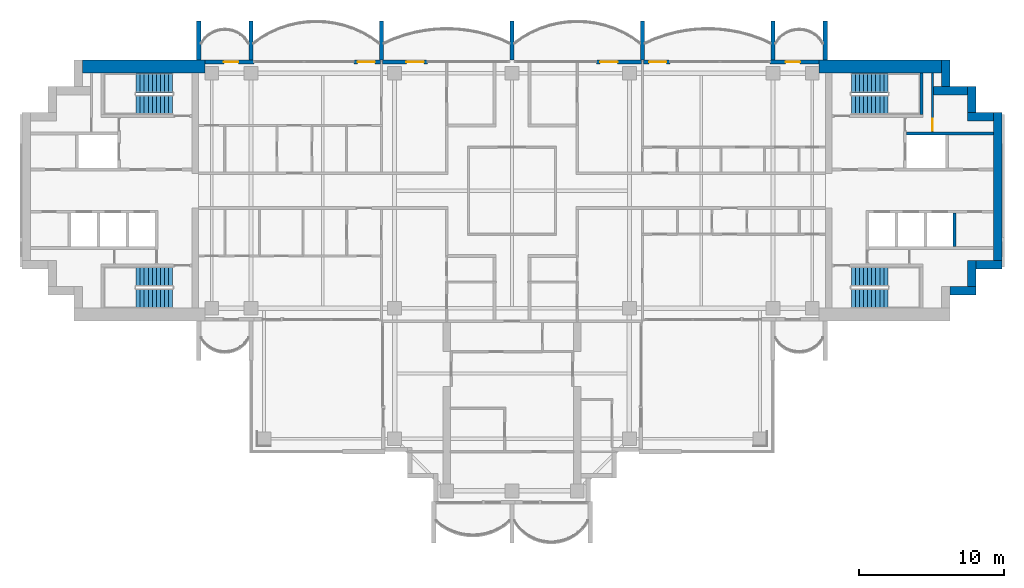
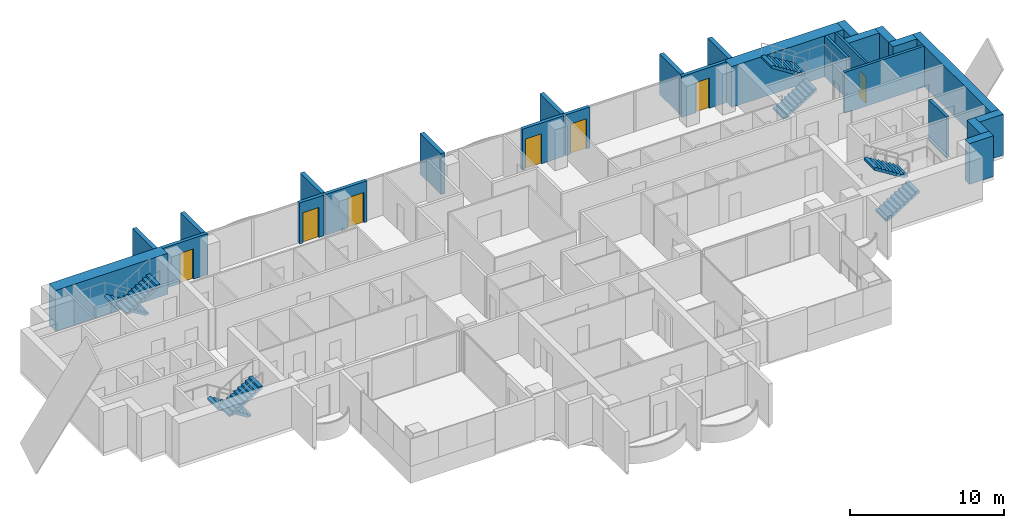
# One storey, part 13 of 17: 27 walls, 8 stair flights, 7 doors, 7 openings, 4 elements without a shape of their own.
"""IFC4 building model written with IfcOpenShell, lengths in metres."""

from ifc_helpers import new_model, si_unit, direction, frame, frame_2d, origin, place, context, subcontext, project, spatial, polyline, rectangle, outline, extrude, material, layer, layer_set, type_object, element, fill, aggregate, save


model = new_model("IFC4")

# Units and contexts
model_context = context("Model", 3, precision=1e-05, world=origin(), true_north=direction((0.0, 1.0)))
body_context = subcontext(model_context, "Body", "Model", "MODEL_VIEW")
ifc_project = project(units=[si_unit("LENGTHUNIT", "METRE"), si_unit("AREAUNIT", "SQUARE_METRE"), si_unit("VOLUMEUNIT", "CUBIC_METRE"), si_unit("PLANEANGLEUNIT", "RADIAN"), si_unit("MASSUNIT", "GRAM", prefix="KILO")], contexts=[model_context])

# Site, building, storey
site_placement = place(None, origin())
site = spatial("IfcSite", under=ifc_project, at=site_placement, CompositionType="ELEMENT")
building_placement = place(site_placement, origin())
building = spatial("IfcBuilding", under=site, at=building_placement, Name="Perihelion Cross Residences", CompositionType="ELEMENT")
storey_placement = place(building_placement, frame((0.0, 0.0, 191.10009765625)))
storey = spatial("IfcBuildingStorey", under=building, at=storey_placement, Name="L47", CompositionType="ELEMENT", Elevation=191.10009765625)

# Wall, opening, door
ifc_material_1 = material(Name="Concrete C30/37, bronze-clad", Category="concrete")
ifc_layer_1 = layer(ifc_material_1, 0.25)
ifc_layer_set_1 = layer_set([ifc_layer_1], Name="Bronze-clad pier wall 250")
wall_type_1 = type_object("IfcWallType", Name="Bronze-clad pier wall 250", PredefinedType="SOLIDWALL", material=ifc_layer_set_1)
wall_1_placement = place(storey_placement, frame((21.175048828125, 8.875, 0.0), z_axis=(0.0, 0.0, 1.0), x_axis=(-1.0, 0.0, 0.0)))
wall_1 = element("IfcWall", 1, at=wall_1_placement, inside=storey, type_object=wall_type_1, Name="Wall FW1 L47 east side north bay 1 pier", PredefinedType="SOLIDWALL", context=body_context, shape_type="SweptSolid", body=[
    extrude(rectangle(XDim=3.375, YDim=0.25, at=frame_2d((1.6875, 0.0))), origin(), (0.0, 0.0, 1.0), 3.25),
])
opening_1_placement = place(wall_1_placement, frame((1.300048828125, 0.0, 0.0)))
opening_1 = element("IfcOpeningElement", 2, at=opening_1_placement, cuts=wall_1, Name="Opening L47.E01", PredefinedType="OPENING", context=body_context, shape_type="SweptSolid", body=[
    extrude(rectangle(XDim=1.0, YDim=2.39990234375, at=frame_2d((0.5, 1.199951171875))), frame((0.0, 0.135009765625, 0.0), z_axis=(0.0, -1.0, 0.0), x_axis=(1.0, 0.0, 0.0)), (0.0, 0.0, 1.0), 0.27001953125),
])
ifc_material_2 = material(Name="Bronze anodised aluminium, glazed", Category="aluminium")
door_type_1 = type_object("IfcDoorType", Name="Balcony door 1000 x 2400", OperationType="NOTDEFINED", PredefinedType="DOOR", material=ifc_material_2)
door_1_placement = place(opening_1_placement, origin())
door_1 = element("IfcDoor", 3, at=door_1_placement, inside=storey, type_object=door_type_1, Name="Door L47.E01 east side north bay 1", OperationType="SINGLE_SWING_LEFT", OverallHeight=2.39990234375, OverallWidth=1.0, PredefinedType="DOOR", context=body_context, shape_type="SweptSolid", body=[
    extrude(rectangle(XDim=1.0, YDim=2.39990234375, at=frame_2d((0.5, 1.199951171875))), frame((0.0, 0.02490234375, 0.0), z_axis=(0.0, -1.0, 0.0), x_axis=(1.0, 0.0, 0.0)), (0.0, 0.0, 1.0), 0.050048828125),
])
fill(opening_1, door_1)

wall_2_placement = place(storey_placement, frame((10.89990234375, 8.875, 0.0), z_axis=(0.0, 0.0, 1.0), x_axis=(-1.0, 0.0, 0.0)))
wall_2 = element("IfcWall", 4, at=wall_2_placement, inside=storey, type_object=wall_type_1, Name="Wall FW1 L47 east side north bay 2 pier", PredefinedType="SOLIDWALL", context=body_context, shape_type="SweptSolid", body=[
    extrude(rectangle(XDim=1.83984375, YDim=0.25, at=frame_2d((0.919921875, 0.0))), origin(), (0.0, 0.0, 1.0), 3.25),
])
opening_2_placement = place(wall_2_placement, frame((0.25, 0.0, 0.0)))
opening_2 = element("IfcOpeningElement", 5, at=opening_2_placement, cuts=wall_2, Name="Opening L47.E02", PredefinedType="OPENING", context=body_context, shape_type="SweptSolid", body=[
    extrude(rectangle(XDim=1.199951171875, YDim=2.39990234375, at=frame_2d((0.60009765625, 1.199951171875))), frame((0.0, 0.135009765625, 0.0), z_axis=(0.0, -1.0, 0.0), x_axis=(1.0, 0.0, 0.0)), (0.0, 0.0, 1.0), 0.27001953125),
])
ifc_material_3 = material(Name="Bronze anodised aluminium, glazed", Category="aluminium")
door_type_2 = type_object("IfcDoorType", Name="Balcony door 1200 x 2400", OperationType="NOTDEFINED", PredefinedType="DOOR", material=ifc_material_3)
door_2_placement = place(opening_2_placement, origin())
door_2 = element("IfcDoor", 6, at=door_2_placement, inside=storey, type_object=door_type_2, Name="Door L47.E02 east side north bay 2", OperationType="SINGLE_SWING_RIGHT", OverallHeight=2.39990234375, OverallWidth=1.199951171875, PredefinedType="DOOR", context=body_context, shape_type="SweptSolid", body=[
    extrude(rectangle(XDim=1.199951171875, YDim=2.39990234375, at=frame_2d((0.60009765625, 1.199951171875))), frame((0.0, 0.02490234375, 0.0), z_axis=(0.0, -1.0, 0.0), x_axis=(1.0, 0.0, 0.0)), (0.0, 0.0, 1.0), 0.050048828125),
])
fill(opening_2, door_2)

wall_3_placement = place(storey_placement, frame((8.93994140625, 8.875, 0.0), z_axis=(0.0, 0.0, 1.0), x_axis=(-1.0, 0.0, 0.0)))
wall_3 = element("IfcWall", 7, at=wall_3_placement, inside=storey, type_object=wall_type_1, Name="Wall FW1 L47 north side east bay 1 pier", PredefinedType="SOLIDWALL", context=body_context, shape_type="SweptSolid", body=[
    extrude(rectangle(XDim=3.114990234375, YDim=0.25, at=frame_2d((1.5576171875, 0.0))), origin(), (0.0, 0.0, 1.0), 3.25),
])
opening_3_placement = place(wall_3_placement, frame((1.6650390625, 0.0, 0.0)))
opening_3 = element("IfcOpeningElement", 8, at=opening_3_placement, cuts=wall_3, Name="Opening L47.E03", PredefinedType="OPENING", context=body_context, shape_type="SweptSolid", body=[
    extrude(rectangle(XDim=1.199951171875, YDim=2.39990234375, at=frame_2d((0.60009765625, 1.199951171875))), frame((0.0, 0.135009765625, 0.0), z_axis=(0.0, -1.0, 0.0), x_axis=(1.0, 0.0, 0.0)), (0.0, 0.0, 1.0), 0.27001953125),
])
door_3_placement = place(opening_3_placement, origin())
door_3 = element("IfcDoor", 9, at=door_3_placement, inside=storey, type_object=door_type_2, Name="Door L47.E03 north side east bay 1", OperationType="SINGLE_SWING_LEFT", OverallHeight=2.39990234375, OverallWidth=1.199951171875, PredefinedType="DOOR", context=body_context, shape_type="SweptSolid", body=[
    extrude(rectangle(XDim=1.199951171875, YDim=2.39990234375, at=frame_2d((0.60009765625, 1.199951171875))), frame((0.0, 0.02490234375, 0.0), z_axis=(0.0, -1.0, 0.0), x_axis=(1.0, 0.0, 0.0)), (0.0, 0.0, 1.0), 0.050048828125),
])
fill(opening_3, door_3)

wall_4_placement = place(storey_placement, frame((-5.824951171875, 8.875, 0.0), z_axis=(0.0, 0.0, 1.0), x_axis=(-1.0, 0.0, 0.0)))
wall_4 = element("IfcWall", 10, at=wall_4_placement, inside=storey, type_object=wall_type_1, Name="Wall FW1 L47 north side east bay 2 pier", PredefinedType="SOLIDWALL", context=body_context, shape_type="SweptSolid", body=[
    extrude(rectangle(XDim=3.114990234375, YDim=0.25, at=frame_2d((1.5576171875, 0.0))), origin(), (0.0, 0.0, 1.0), 3.25),
])
opening_4_placement = place(wall_4_placement, frame((0.25, 0.0, 0.0)))
opening_4 = element("IfcOpeningElement", 11, at=opening_4_placement, cuts=wall_4, Name="Opening L47.E04", PredefinedType="OPENING", context=body_context, shape_type="SweptSolid", body=[
    extrude(rectangle(XDim=1.199951171875, YDim=2.39990234375, at=frame_2d((0.60009765625, 1.199951171875))), frame((0.0, 0.135009765625, 0.0), z_axis=(0.0, -1.0, 0.0), x_axis=(1.0, 0.0, 0.0)), (0.0, 0.0, 1.0), 0.27001953125),
])
door_4_placement = place(opening_4_placement, origin())
door_4 = element("IfcDoor", 12, at=door_4_placement, inside=storey, type_object=door_type_2, Name="Door L47.E04 north side east bay 2", OperationType="SINGLE_SWING_RIGHT", OverallHeight=2.39990234375, OverallWidth=1.199951171875, PredefinedType="DOOR", context=body_context, shape_type="SweptSolid", body=[
    extrude(rectangle(XDim=1.199951171875, YDim=2.39990234375, at=frame_2d((0.60009765625, 1.199951171875))), frame((0.0, 0.02490234375, 0.0), z_axis=(0.0, -1.0, 0.0), x_axis=(1.0, 0.0, 0.0)), (0.0, 0.0, 1.0), 0.050048828125),
])
fill(opening_4, door_4)

wall_5_placement = place(storey_placement, frame((-9.06005859375, 8.875, 0.0), z_axis=(0.0, 0.0, 1.0), x_axis=(-1.0, 0.0, 0.0)))
wall_5 = element("IfcWall", 13, at=wall_5_placement, inside=storey, type_object=wall_type_1, Name="Wall FW1 L47 west side north bay 1 pier", PredefinedType="SOLIDWALL", context=body_context, shape_type="SweptSolid", body=[
    extrude(rectangle(XDim=1.83984375, YDim=0.25, at=frame_2d((0.919921875, 0.0))), origin(), (0.0, 0.0, 1.0), 3.25),
])
opening_5_placement = place(wall_5_placement, frame((0.389892578125, 0.0, 0.0)))
opening_5 = element("IfcOpeningElement", 14, at=opening_5_placement, cuts=wall_5, Name="Opening L47.E05", PredefinedType="OPENING", context=body_context, shape_type="SweptSolid", body=[
    extrude(rectangle(XDim=1.199951171875, YDim=2.39990234375, at=frame_2d((0.60009765625, 1.199951171875))), frame((0.0, 0.135009765625, 0.0), z_axis=(0.0, -1.0, 0.0), x_axis=(1.0, 0.0, 0.0)), (0.0, 0.0, 1.0), 0.27001953125),
])
door_5_placement = place(opening_5_placement, origin())
door_5 = element("IfcDoor", 15, at=door_5_placement, inside=storey, type_object=door_type_2, Name="Door L47.E05 west side north bay 1", OperationType="SINGLE_SWING_LEFT", OverallHeight=2.39990234375, OverallWidth=1.199951171875, PredefinedType="DOOR", context=body_context, shape_type="SweptSolid", body=[
    extrude(rectangle(XDim=1.199951171875, YDim=2.39990234375, at=frame_2d((0.60009765625, 1.199951171875))), frame((0.0, 0.02490234375, 0.0), z_axis=(0.0, -1.0, 0.0), x_axis=(1.0, 0.0, 0.0)), (0.0, 0.0, 1.0), 0.050048828125),
])
fill(opening_5, door_5)

wall_6_placement = place(storey_placement, frame((-17.800048828125, 8.875, 0.0), z_axis=(0.0, 0.0, 1.0), x_axis=(-1.0, 0.0, 0.0)))
wall_6 = element("IfcWall", 16, at=wall_6_placement, inside=storey, type_object=wall_type_1, Name="Wall FW1 L47 west side north bay 2 pier", PredefinedType="SOLIDWALL", context=body_context, shape_type="SweptSolid", body=[
    extrude(rectangle(XDim=3.375, YDim=0.25, at=frame_2d((1.6875, 0.0))), origin(), (0.0, 0.0, 1.0), 3.25),
])
opening_6_placement = place(wall_6_placement, frame((1.074951171875, 0.0, 0.0)))
opening_6 = element("IfcOpeningElement", 17, at=opening_6_placement, cuts=wall_6, Name="Opening L47.E06", PredefinedType="OPENING", context=body_context, shape_type="SweptSolid", body=[
    extrude(rectangle(XDim=1.0, YDim=2.39990234375, at=frame_2d((0.5, 1.199951171875))), frame((0.0, 0.135009765625, 0.0), z_axis=(0.0, -1.0, 0.0), x_axis=(1.0, 0.0, 0.0)), (0.0, 0.0, 1.0), 0.27001953125),
])
door_6_placement = place(opening_6_placement, origin())
door_6 = element("IfcDoor", 18, at=door_6_placement, inside=storey, type_object=door_type_1, Name="Door L47.E06 west side north bay 2", OperationType="SINGLE_SWING_RIGHT", OverallHeight=2.39990234375, OverallWidth=1.0, PredefinedType="DOOR", context=body_context, shape_type="SweptSolid", body=[
    extrude(rectangle(XDim=1.0, YDim=2.39990234375, at=frame_2d((0.5, 1.199951171875))), frame((0.0, 0.02490234375, 0.0), z_axis=(0.0, -1.0, 0.0), x_axis=(1.0, 0.0, 0.0)), (0.0, 0.0, 1.0), 0.050048828125),
])
fill(opening_6, door_6)

# Walls
ifc_material_4 = material(Name="Concrete C60/75", Category="concrete")
ifc_layer_2 = layer(ifc_material_4, 0.60009765625)
ifc_layer_set_2 = layer_set([ifc_layer_2], Name="Core wall, outer 600")
wall_type_2 = type_object("IfcWallType", Name="Core wall, outer 600", PredefinedType="SHEAR", material=ifc_layer_set_2)
for number, where, z_axis, x_axis, name in (
    (19, (30.199951171875, -6.89990234375, 0.0), (0.0, 0.0, 1.0), (1.0, 0.0, 0.0), "East core core wall, outer"),
    (20, (31.699951171875, -6.60009765625, 0.0), (0.0, 0.0, 1.0), (0.0, 1.0, 0.0), "East core core wall, outer"),
    (21, (32.0, -5.10009765625, 0.0), (0.0, 0.0, 1.0), (1.0, 0.0, 0.0), "East core core wall, outer"),
):
    element("IfcWall", number, at=place(storey_placement, frame(where, z_axis=z_axis, x_axis=x_axis)), inside=storey, type_object=wall_type_2, Name=name, PredefinedType="SHEAR", context=body_context, shape_type="SweptSolid", body=[
        extrude(rectangle(XDim=1.800048828125, YDim=0.60009765625, at=frame_2d((0.89990234375, 0.0))), origin(), (0.0, 0.0, 1.0), 3.25),
    ])
wall_7_placement = place(storey_placement, frame((33.5, -4.800048828125, 0.0), z_axis=(0.0, 0.0, 1.0), x_axis=(0.0, 1.0, 0.0)))
element("IfcWall", 22, at=wall_7_placement, inside=storey, type_object=wall_type_2, Name="East core core wall, outer", PredefinedType="SHEAR", context=body_context, shape_type="SweptSolid", body=[
    extrude(rectangle(XDim=10.199951171875, YDim=0.60009765625, at=frame_2d((5.10009765625, 0.0))), origin(), (0.0, 0.0, 1.0), 3.25),
])
for number, where, z_axis, x_axis, name in (
    (23, (31.39990234375, 5.10009765625, 0.0), (0.0, 0.0, 1.0), (1.0, 0.0, 0.0), "East core core wall, outer"),
    (24, (31.699951171875, 5.39990234375, 0.0), (0.0, 0.0, 1.0), (0.0, 1.0, 0.0), "East core core wall, outer"),
):
    element("IfcWall", number, at=place(storey_placement, frame(where, z_axis=z_axis, x_axis=x_axis)), inside=storey, type_object=wall_type_2, Name=name, PredefinedType="SHEAR", context=body_context, shape_type="SweptSolid", body=[
        extrude(rectangle(XDim=1.800048828125, YDim=0.60009765625, at=frame_2d((0.89990234375, 0.0))), origin(), (0.0, 0.0, 1.0), 3.25),
    ])
wall_8_placement = place(storey_placement, frame((29.074951171875, 6.89990234375, 0.0), z_axis=(0.0, 0.0, 1.0), x_axis=(1.0, 0.0, 0.0)))
element("IfcWall", 25, at=wall_8_placement, inside=storey, type_object=wall_type_2, Name="East core core wall, outer", PredefinedType="SHEAR", context=body_context, shape_type="SweptSolid", body=[
    extrude(rectangle(XDim=2.324951171875, YDim=0.60009765625, at=frame_2d((1.16259765625, 0.0))), origin(), (0.0, 0.0, 1.0), 3.25),
])
wall_9_placement = place(storey_placement, frame((29.89990234375, 7.199951171875, 0.0), z_axis=(0.0, 0.0, 1.0), x_axis=(0.0, 1.0, 0.0)))
element("IfcWall", 26, at=wall_9_placement, inside=storey, type_object=wall_type_2, Name="East core core wall, outer", PredefinedType="SHEAR", context=body_context, shape_type="SweptSolid", body=[
    extrude(rectangle(XDim=1.800048828125, YDim=0.60009765625, at=frame_2d((0.89990234375, 0.0))), origin(), (0.0, 0.0, 1.0), 3.25),
])
ifc_material_5 = material(Name="Concrete C60/75", Category="concrete")
ifc_layer_3 = layer(ifc_material_5, 0.89990234375)
ifc_layer_set_3 = layer_set([ifc_layer_3], Name="Core wall, outer 900")
wall_type_3 = type_object("IfcWallType", Name="Core wall, outer 900", PredefinedType="SHEAR", material=ifc_layer_set_3)
for number, where, z_axis, x_axis, name in (
    (27, (21.175048828125, 8.550048828125, 0.0), (0.0, 0.0, 1.0), (1.0, 0.0, 0.0), "East core core wall, outer"),
    (28, (-29.60009765625, 8.550048828125, 0.0), (0.0, 0.0, 1.0), (1.0, 0.0, 0.0), "West core core wall, outer"),
):
    element("IfcWall", number, at=place(storey_placement, frame(where, z_axis=z_axis, x_axis=x_axis)), inside=storey, type_object=wall_type_3, Name=name, PredefinedType="SHEAR", context=body_context, shape_type="SweptSolid", body=[
        extrude(rectangle(XDim=8.425048828125, YDim=0.89990234375, at=frame_2d((4.21240234375, 0.0))), origin(), (0.0, 0.0, 1.0), 3.25),
    ])
ifc_material_6 = material(Name="Precast concrete C50/60", Category="concrete")
ifc_layer_4 = layer(ifc_material_6, 0.300048828125)
ifc_layer_set_4 = layer_set([ifc_layer_4], Name="Precast concrete C50/60 blade wall 300")
wall_type_4 = type_object("IfcWallType", Name="Precast concrete C50/60 blade wall 300", PredefinedType="SOLIDWALL", material=ifc_layer_set_4)
for number, where, z_axis, x_axis, name in (
    (29, (-21.60009765625, 9.0, 0.0), (0.0, 0.0, 1.0), (0.0, 1.0, 0.0), "Wall BL1 L47 no. 4"),
    (30, (-18.0, 9.0, 0.0), (0.0, 0.0, 1.0), (0.0, 1.0, 0.0), "Wall BL1 L47 no. 2"),
    (31, (-9.0, 9.0, 0.0), (0.0, 0.0, 1.0), (0.0, 1.0, 0.0), "Wall BL1 L47 no. 7"),
    (32, (0.0, 9.0, 0.0), (0.0, 0.0, 1.0), (0.0, 1.0, 0.0), "Wall BL1 L47 no. 9"),
    (33, (9.0, 9.0, 0.0), (0.0, 0.0, 1.0), (0.0, 1.0, 0.0), "Wall BL1 L47 no. 16"),
    (34, (18.0, 9.0, 0.0), (0.0, 0.0, 1.0), (0.0, 1.0, 0.0), "Wall BL1 L47 no. 11"),
    (35, (21.60009765625, 9.0, 0.0), (0.0, 0.0, 1.0), (0.0, 1.0, 0.0), "Wall BL1 L47 no. 13"),
):
    element("IfcWall", number, at=place(storey_placement, frame(where, z_axis=z_axis, x_axis=x_axis)), inside=storey, type_object=wall_type_4, Name=name, PredefinedType="SOLIDWALL", context=body_context, shape_type="SweptSolid", body=[
        extrude(rectangle(XDim=2.699951171875, YDim=0.300048828125, at=frame_2d((1.35009765625, 0.0))), origin(), (0.0, 0.0, 1.0), 3.25),
    ])

# Wall, opening, door
ifc_material_7 = material(Name="Fire-rated board on steel stud", Category="steel")
ifc_layer_5 = layer(ifc_material_7, 0.14990234375)
ifc_layer_set_5 = layer_set([ifc_layer_5], Name="Riser wall 150")
wall_type_5 = type_object("IfcWallType", Name="Riser wall 150", PredefinedType="PARTITIONING", material=ifc_layer_set_5)
wall_10_placement = place(storey_placement, frame((29.0, 4.050048828125, 0.0), z_axis=(0.0, 0.0, 1.0), x_axis=(0.0, 1.0, 0.0)))
wall_10 = element("IfcWall", 36, at=wall_10_placement, inside=storey, type_object=wall_type_5, Name="East core riser wall", PredefinedType="PARTITIONING", context=body_context, shape_type="SweptSolid", body=[
    extrude(rectangle(XDim=4.050048828125, YDim=0.14990234375, at=frame_2d((2.02490234375, 0.0))), origin(), (0.0, 0.0, 1.0), 3.25),
])
opening_7_placement = place(wall_10_placement, frame((0.10009765625, 0.0, 0.0)))
opening_7 = element("IfcOpeningElement", 37, at=opening_7_placement, cuts=wall_10, Name="Opening L47.C12", PredefinedType="OPENING", context=body_context, shape_type="SweptSolid", body=[
    extrude(rectangle(XDim=0.800048828125, YDim=2.10009765625, at=frame_2d((0.39990234375, 1.050048828125))), frame((0.0, 0.0849609375, 0.0), z_axis=(0.0, -1.0, 0.0), x_axis=(1.0, 0.0, 0.0)), (0.0, 0.0, 1.0), 0.169921875),
])
ifc_material_8 = material(Name="Steel, powder coated", Category="steel")
door_type_3 = type_object("IfcDoorType", Name="Riser door 800", OperationType="SINGLE_SWING_LEFT", PredefinedType="DOOR", material=ifc_material_8)
door_7_placement = place(opening_7_placement, origin())
door_7 = element("IfcDoor", 38, at=door_7_placement, inside=storey, type_object=door_type_3, Name="East core riser door", OperationType="SINGLE_SWING_LEFT", OverallHeight=2.10009765625, OverallWidth=0.800048828125, PredefinedType="DOOR", context=body_context, shape_type="SweptSolid", body=[
    extrude(rectangle(XDim=0.800048828125, YDim=2.10009765625, at=frame_2d((0.39990234375, 1.050048828125))), frame((0.0, 0.02490234375, 0.0), z_axis=(0.0, -1.0, 0.0), x_axis=(1.0, 0.0, 0.0)), (0.0, 0.0, 1.0), 0.050048828125),
])
fill(opening_7, door_7)

# Walls
ifc_material_9 = material(Name="Concrete C50/60", Category="concrete")
ifc_layer_6 = layer(ifc_material_9, 0.199951171875)
ifc_layer_set_6 = layer_set([ifc_layer_6], Name="Shaft wall 200")
wall_type_6 = type_object("IfcWallType", Name="Shaft wall 200", PredefinedType="SOLIDWALL", material=ifc_layer_set_6)
wall_11_placement = place(storey_placement, frame((27.199951171875, 3.949951171875, 0.0), z_axis=(0.0, 0.0, 1.0), x_axis=(1.0, 0.0, 0.0)))
element("IfcWall", 39, at=wall_11_placement, inside=storey, type_object=wall_type_6, Name="East core shaft wall", PredefinedType="SOLIDWALL", context=body_context, shape_type="SweptSolid", body=[
    extrude(rectangle(XDim=6.0, YDim=0.199951171875, at=frame_2d((3.0, 0.0))), origin(), (0.0, 0.0, 1.0), 3.25),
])
wall_12_placement = place(storey_placement, frame((30.5, -3.85009765625, 0.0), z_axis=(0.0, 0.0, 1.0), x_axis=(0.0, 1.0, 0.0)))
element("IfcWall", 40, at=wall_12_placement, inside=storey, type_object=wall_type_6, Name="East core shaft wall", PredefinedType="SOLIDWALL", context=body_context, shape_type="SweptSolid", body=[
    extrude(rectangle(XDim=2.300048828125, YDim=0.199951171875, at=frame_2d((1.14990234375, 0.0))), origin(), (0.0, 0.0, 1.0), 3.25),
])
ifc_material_10 = material(Name="Concrete C50/60", Category="concrete")
ifc_layer_7 = layer(ifc_material_10, 0.199951171875)
ifc_layer_set_7 = layer_set([ifc_layer_7], Name="Stair wall 200")
wall_type_7 = type_object("IfcWallType", Name="Stair wall 200", PredefinedType="SOLIDWALL", material=ifc_layer_set_7)
wall_13_placement = place(storey_placement, frame((28.25, 5.25, 0.0), z_axis=(0.0, 0.0, 1.0), x_axis=(0.0, 1.0, 0.0)))
element("IfcWall", 41, at=wall_13_placement, inside=storey, type_object=wall_type_7, Name="East core stair wall", PredefinedType="SOLIDWALL", context=body_context, shape_type="SweptSolid", body=[
    extrude(rectangle(XDim=2.85009765625, YDim=0.199951171875, at=frame_2d((1.425048828125, 0.0))), origin(), (0.0, 0.0, 1.0), 3.25),
])

# Stair, stair flights
ifc_material_11 = material(Name="Concrete C40/50", Category="concrete")
stair_type = type_object("IfcStairType", Name="Exit stair, half-turn", PredefinedType="HALF_TURN_STAIR", material=ifc_material_11)
stair_1_placement = place(storey_placement, origin())
stair_1 = element("IfcStair", 42, at=stair_1_placement, inside=storey, type_object=stair_type, Name="L47 East core exit stair 1", PredefinedType="HALF_TURN_STAIR")
ifc_material_12 = material(Name="Concrete C40/50", Category="concrete")
stair_flight_type = type_object("IfcStairFlightType", Name="Exit stair flight", PredefinedType="STRAIGHT", material=ifc_material_12)
stair_flight_1_placement = place(storey_placement, frame((23.39990234375, 5.925048828125, 0.0), z_axis=(0.0, 0.0, 1.0), x_axis=(1.0, 0.0, 0.0)))
stair_flight_1 = element("IfcStairFlight", 43, at=stair_flight_1_placement, type_object=stair_flight_type, Name="ST-E1 flight 1", NumberOfRisers=10, NumberOfTreads=9, PredefinedType="STRAIGHT", RiserHeight=0.175, TreadLength=0.28, context=body_context, shape_type="SweptSolid", body=[
    extrude(outline(polyline([(0.0, 0.0), (0.0, 0.175048828125), (0.280029296875, 0.175048828125), (0.280029296875, 0.35009765625), (0.56005859375, 0.35009765625), (0.56005859375, 0.52490234375), (0.840087890625, 0.52490234375), (0.840087890625, 0.699951171875), (1.1201171875, 0.699951171875), (1.1201171875, 0.875), (1.39990234375, 0.875), (1.39990234375, 1.050048828125), (1.679931640625, 1.050048828125), (1.679931640625, 1.22509765625), (1.9599609375, 1.22509765625), (1.9599609375, 1.39990234375), (2.239990234375, 1.39990234375), (2.239990234375, 1.574951171875), (2.52001953125, 1.574951171875), (2.52001953125, 1.75), (2.52001953125, 1.398193359375), (0.28271484375, 0.0), (0.0, 0.0)])), frame((0.0, 0.675048828125, 0.0), z_axis=(0.0, -1.0, 0.0), x_axis=(1.0, 0.0, 0.0)), (0.0, 0.0, 1.0), 1.35009765625),
])
stair_flight_2_placement = place(storey_placement, frame((25.919921875, 7.425048828125, 1.75), z_axis=(0.0, 0.0, 1.0), x_axis=(-1.0, 0.0, 0.0)))
stair_flight_2 = element("IfcStairFlight", 44, at=stair_flight_2_placement, type_object=stair_flight_type, Name="ST-E1 flight 2", NumberOfRisers=10, NumberOfTreads=9, PredefinedType="STRAIGHT", RiserHeight=0.175, TreadLength=0.28, context=body_context, shape_type="SweptSolid", body=[
    extrude(outline(polyline([(0.0, 0.0), (0.0, 0.175048828125), (0.280029296875, 0.175048828125), (0.280029296875, 0.35009765625), (0.56005859375, 0.35009765625), (0.56005859375, 0.52490234375), (0.840087890625, 0.52490234375), (0.840087890625, 0.699951171875), (1.1201171875, 0.699951171875), (1.1201171875, 0.875), (1.39990234375, 0.875), (1.39990234375, 1.050048828125), (1.679931640625, 1.050048828125), (1.679931640625, 1.22509765625), (1.9599609375, 1.22509765625), (1.9599609375, 1.39990234375), (2.239990234375, 1.39990234375), (2.239990234375, 1.574951171875), (2.52001953125, 1.574951171875), (2.52001953125, 1.75), (2.52001953125, 1.398193359375), (0.28271484375, 0.0), (0.0, 0.0)])), frame((0.0, 0.675048828125, 0.0), z_axis=(0.0, -1.0, 0.0), x_axis=(1.0, 0.0, 0.0)), (0.0, 0.0, 1.0), 1.35009765625),
])
aggregate(stair_1, [stair_flight_1, stair_flight_2])

stair_2_placement = place(storey_placement, origin())
stair_2 = element("IfcStair", 45, at=stair_2_placement, inside=storey, type_object=stair_type, Name="L47 East core exit stair 2", PredefinedType="HALF_TURN_STAIR")
stair_flight_3_placement = place(storey_placement, frame((23.39990234375, -7.425048828125, 0.0), z_axis=(0.0, 0.0, 1.0), x_axis=(1.0, 0.0, 0.0)))
stair_flight_3 = element("IfcStairFlight", 46, at=stair_flight_3_placement, type_object=stair_flight_type, Name="ST-E2 flight 1", NumberOfRisers=10, NumberOfTreads=9, PredefinedType="STRAIGHT", RiserHeight=0.175, TreadLength=0.28, context=body_context, shape_type="SweptSolid", body=[
    extrude(outline(polyline([(0.0, 0.0), (0.0, 0.175048828125), (0.280029296875, 0.175048828125), (0.280029296875, 0.35009765625), (0.56005859375, 0.35009765625), (0.56005859375, 0.52490234375), (0.840087890625, 0.52490234375), (0.840087890625, 0.699951171875), (1.1201171875, 0.699951171875), (1.1201171875, 0.875), (1.39990234375, 0.875), (1.39990234375, 1.050048828125), (1.679931640625, 1.050048828125), (1.679931640625, 1.22509765625), (1.9599609375, 1.22509765625), (1.9599609375, 1.39990234375), (2.239990234375, 1.39990234375), (2.239990234375, 1.574951171875), (2.52001953125, 1.574951171875), (2.52001953125, 1.75), (2.52001953125, 1.398193359375), (0.28271484375, 0.0), (0.0, 0.0)])), frame((0.0, 0.675048828125, 0.0), z_axis=(0.0, -1.0, 0.0), x_axis=(1.0, 0.0, 0.0)), (0.0, 0.0, 1.0), 1.35009765625),
])
stair_flight_4_placement = place(storey_placement, frame((25.919921875, -5.925048828125, 1.75), z_axis=(0.0, 0.0, 1.0), x_axis=(-1.0, 0.0, 0.0)))
stair_flight_4 = element("IfcStairFlight", 47, at=stair_flight_4_placement, type_object=stair_flight_type, Name="ST-E2 flight 2", NumberOfRisers=10, NumberOfTreads=9, PredefinedType="STRAIGHT", RiserHeight=0.175, TreadLength=0.28, context=body_context, shape_type="SweptSolid", body=[
    extrude(outline(polyline([(0.0, 0.0), (0.0, 0.175048828125), (0.280029296875, 0.175048828125), (0.280029296875, 0.35009765625), (0.56005859375, 0.35009765625), (0.56005859375, 0.52490234375), (0.840087890625, 0.52490234375), (0.840087890625, 0.699951171875), (1.1201171875, 0.699951171875), (1.1201171875, 0.875), (1.39990234375, 0.875), (1.39990234375, 1.050048828125), (1.679931640625, 1.050048828125), (1.679931640625, 1.22509765625), (1.9599609375, 1.22509765625), (1.9599609375, 1.39990234375), (2.239990234375, 1.39990234375), (2.239990234375, 1.574951171875), (2.52001953125, 1.574951171875), (2.52001953125, 1.75), (2.52001953125, 1.398193359375), (0.28271484375, 0.0), (0.0, 0.0)])), frame((0.0, 0.675048828125, 0.0), z_axis=(0.0, -1.0, 0.0), x_axis=(1.0, 0.0, 0.0)), (0.0, 0.0, 1.0), 1.35009765625),
])
aggregate(stair_2, [stair_flight_3, stair_flight_4])

stair_3_placement = place(storey_placement, origin())
stair_3 = element("IfcStair", 48, at=stair_3_placement, inside=storey, type_object=stair_type, Name="L47 West core exit stair 1", PredefinedType="HALF_TURN_STAIR")
stair_flight_5_placement = place(storey_placement, frame((-23.39990234375, 7.425048828125, 0.0), z_axis=(0.0, 0.0, 1.0), x_axis=(-1.0, 0.0, 0.0)))
stair_flight_5 = element("IfcStairFlight", 49, at=stair_flight_5_placement, type_object=stair_flight_type, Name="ST-W1 flight 1", NumberOfRisers=10, NumberOfTreads=9, PredefinedType="STRAIGHT", RiserHeight=0.175, TreadLength=0.28, context=body_context, shape_type="SweptSolid", body=[
    extrude(outline(polyline([(0.0, 0.0), (0.0, 0.175048828125), (0.280029296875, 0.175048828125), (0.280029296875, 0.35009765625), (0.56005859375, 0.35009765625), (0.56005859375, 0.52490234375), (0.840087890625, 0.52490234375), (0.840087890625, 0.699951171875), (1.1201171875, 0.699951171875), (1.1201171875, 0.875), (1.39990234375, 0.875), (1.39990234375, 1.050048828125), (1.679931640625, 1.050048828125), (1.679931640625, 1.22509765625), (1.9599609375, 1.22509765625), (1.9599609375, 1.39990234375), (2.239990234375, 1.39990234375), (2.239990234375, 1.574951171875), (2.52001953125, 1.574951171875), (2.52001953125, 1.75), (2.52001953125, 1.398193359375), (0.28271484375, 0.0), (0.0, 0.0)])), frame((0.0, 0.675048828125, 0.0), z_axis=(0.0, -1.0, 0.0), x_axis=(1.0, 0.0, 0.0)), (0.0, 0.0, 1.0), 1.35009765625),
])
stair_flight_6_placement = place(storey_placement, frame((-25.919921875, 5.925048828125, 1.75), z_axis=(0.0, 0.0, 1.0), x_axis=(1.0, 0.0, 0.0)))
stair_flight_6 = element("IfcStairFlight", 50, at=stair_flight_6_placement, type_object=stair_flight_type, Name="ST-W1 flight 2", NumberOfRisers=10, NumberOfTreads=9, PredefinedType="STRAIGHT", RiserHeight=0.175, TreadLength=0.28, context=body_context, shape_type="SweptSolid", body=[
    extrude(outline(polyline([(0.0, 0.0), (0.0, 0.175048828125), (0.280029296875, 0.175048828125), (0.280029296875, 0.35009765625), (0.56005859375, 0.35009765625), (0.56005859375, 0.52490234375), (0.840087890625, 0.52490234375), (0.840087890625, 0.699951171875), (1.1201171875, 0.699951171875), (1.1201171875, 0.875), (1.39990234375, 0.875), (1.39990234375, 1.050048828125), (1.679931640625, 1.050048828125), (1.679931640625, 1.22509765625), (1.9599609375, 1.22509765625), (1.9599609375, 1.39990234375), (2.239990234375, 1.39990234375), (2.239990234375, 1.574951171875), (2.52001953125, 1.574951171875), (2.52001953125, 1.75), (2.52001953125, 1.398193359375), (0.28271484375, 0.0), (0.0, 0.0)])), frame((0.0, 0.675048828125, 0.0), z_axis=(0.0, -1.0, 0.0), x_axis=(1.0, 0.0, 0.0)), (0.0, 0.0, 1.0), 1.35009765625),
])
aggregate(stair_3, [stair_flight_5, stair_flight_6])

stair_4_placement = place(storey_placement, origin())
stair_4 = element("IfcStair", 51, at=stair_4_placement, inside=storey, type_object=stair_type, Name="L47 West core exit stair 2", PredefinedType="HALF_TURN_STAIR")
stair_flight_7_placement = place(storey_placement, frame((-23.39990234375, -5.925048828125, 0.0), z_axis=(0.0, 0.0, 1.0), x_axis=(-1.0, 0.0, 0.0)))
stair_flight_7 = element("IfcStairFlight", 52, at=stair_flight_7_placement, type_object=stair_flight_type, Name="ST-W2 flight 1", NumberOfRisers=10, NumberOfTreads=9, PredefinedType="STRAIGHT", RiserHeight=0.175, TreadLength=0.28, context=body_context, shape_type="SweptSolid", body=[
    extrude(outline(polyline([(0.0, 0.0), (0.0, 0.175048828125), (0.280029296875, 0.175048828125), (0.280029296875, 0.35009765625), (0.56005859375, 0.35009765625), (0.56005859375, 0.52490234375), (0.840087890625, 0.52490234375), (0.840087890625, 0.699951171875), (1.1201171875, 0.699951171875), (1.1201171875, 0.875), (1.39990234375, 0.875), (1.39990234375, 1.050048828125), (1.679931640625, 1.050048828125), (1.679931640625, 1.22509765625), (1.9599609375, 1.22509765625), (1.9599609375, 1.39990234375), (2.239990234375, 1.39990234375), (2.239990234375, 1.574951171875), (2.52001953125, 1.574951171875), (2.52001953125, 1.75), (2.52001953125, 1.398193359375), (0.28271484375, 0.0), (0.0, 0.0)])), frame((0.0, 0.675048828125, 0.0), z_axis=(0.0, -1.0, 0.0), x_axis=(1.0, 0.0, 0.0)), (0.0, 0.0, 1.0), 1.35009765625),
])
stair_flight_8_placement = place(storey_placement, frame((-25.919921875, -7.425048828125, 1.75), z_axis=(0.0, 0.0, 1.0), x_axis=(1.0, 0.0, 0.0)))
stair_flight_8 = element("IfcStairFlight", 53, at=stair_flight_8_placement, type_object=stair_flight_type, Name="ST-W2 flight 2", NumberOfRisers=10, NumberOfTreads=9, PredefinedType="STRAIGHT", RiserHeight=0.175, TreadLength=0.28, context=body_context, shape_type="SweptSolid", body=[
    extrude(outline(polyline([(0.0, 0.0), (0.0, 0.175048828125), (0.280029296875, 0.175048828125), (0.280029296875, 0.35009765625), (0.56005859375, 0.35009765625), (0.56005859375, 0.52490234375), (0.840087890625, 0.52490234375), (0.840087890625, 0.699951171875), (1.1201171875, 0.699951171875), (1.1201171875, 0.875), (1.39990234375, 0.875), (1.39990234375, 1.050048828125), (1.679931640625, 1.050048828125), (1.679931640625, 1.22509765625), (1.9599609375, 1.22509765625), (1.9599609375, 1.39990234375), (2.239990234375, 1.39990234375), (2.239990234375, 1.574951171875), (2.52001953125, 1.574951171875), (2.52001953125, 1.75), (2.52001953125, 1.398193359375), (0.28271484375, 0.0), (0.0, 0.0)])), frame((0.0, 0.675048828125, 0.0), z_axis=(0.0, -1.0, 0.0), x_axis=(1.0, 0.0, 0.0)), (0.0, 0.0, 1.0), 1.35009765625),
])
aggregate(stair_4, [stair_flight_7, stair_flight_8])

save(model, "model.ifc")
